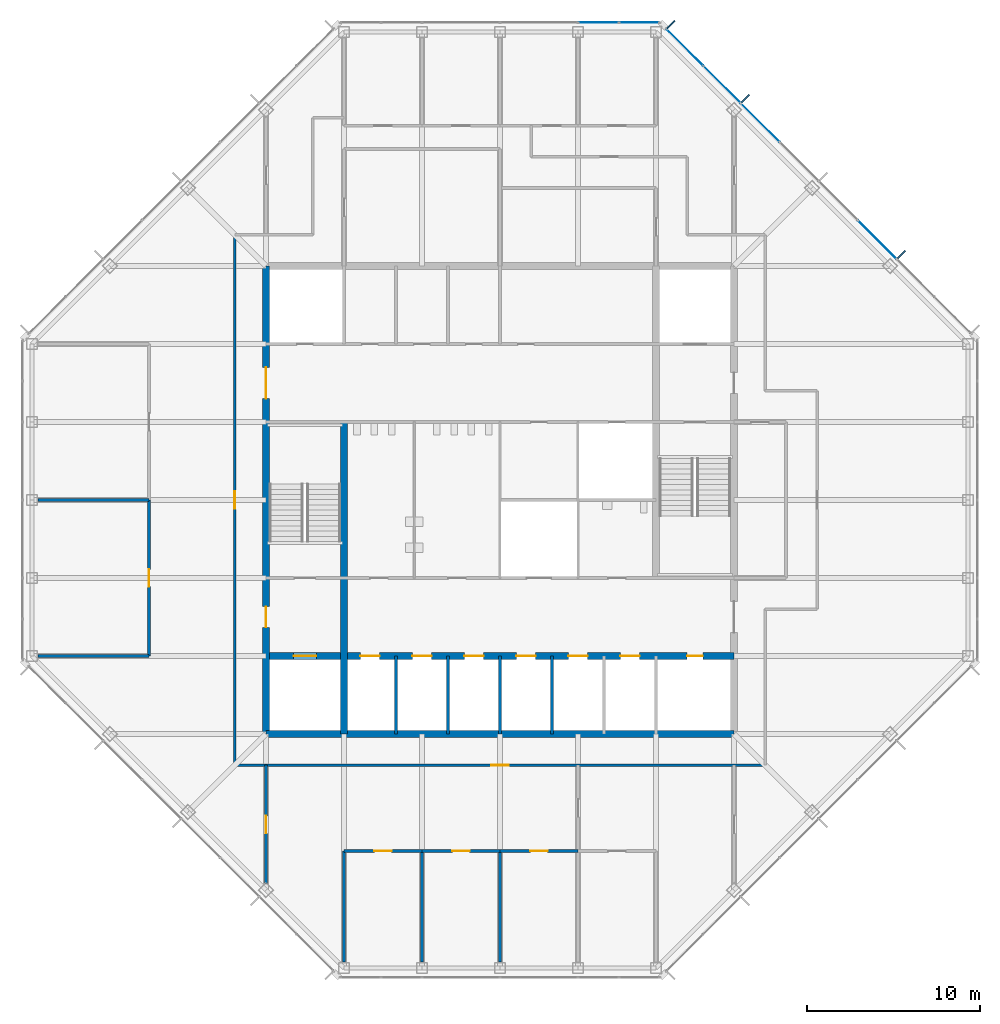
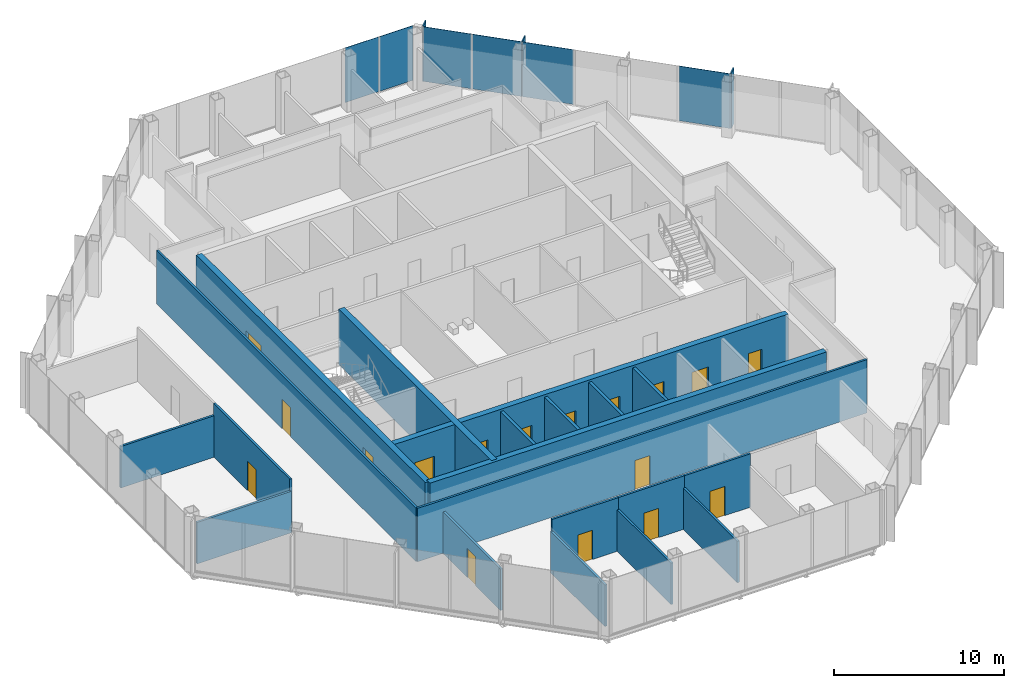
# One storey, part 9 of 14: 20 walls, 17 doors, 9 plates, 17 openings, 2 elements without a shape of their own.
"""IFC4 building model written with IfcOpenShell, lengths in metres."""

import ifcopenshell
import ifcopenshell.guid

model = None  # the IFC model being written
_history = None  # IfcOwnerHistory: only IFC2X3 demands one
_inside = {}  # id of a spatial element -> (the spatial element, [elements in it])
_under = {}  # id of a project, library or spatial element -> (it, [spatial elements below it])
_declared = {}  # id of a project -> (the project, [libraries it declares])
_typed = {}  # id of a type object -> (the type object, [elements of that type])
_made_of = {}  # id of a material, layer set ... -> (it, [elements and type objects made of it])


def new_model(schema):
    """Start an empty IFC model of exactly this schema.

    Asked for "IFC4X3", IfcOpenShell would pick the latest addendum, in which some entities
    have other attributes; the version numbers below select the first issue.
    IFC2X3 requires an IfcOwnerHistory on every rooted entity: one is made here for all.
    """
    global model, _history
    if schema == "IFC4X3":
        model = ifcopenshell.file(schema_version=(4, 3, 0, 0))
    else:
        model = ifcopenshell.file(schema=schema)
    _inside.clear()
    _under.clear()
    _declared.clear()
    _typed.clear()
    _made_of.clear()
    _history = None
    if model.schema == "IFC2X3":
        org = make("IfcOrganization", Name="unknown")
        user = make(
            "IfcPersonAndOrganization",
            ThePerson=make("IfcPerson", FamilyName="unknown"),
            TheOrganization=org,
        )
        app = make(
            "IfcApplication",
            ApplicationDeveloper=org,
            Version="unknown",
            ApplicationFullName="unknown",
            ApplicationIdentifier="unknown",
        )
        _history = make(
            "IfcOwnerHistory",
            OwningUser=user,
            OwningApplication=app,
            ChangeAction="ADDED",
            CreationDate=0,
        )
    return model


def make(cls, **values):
    """One entity of the class cls with the attributes given. An attribute that is None is left unset."""
    return model.create_entity(
        cls, **{name: value for name, value in values.items() if value is not None}
    )


def rooted(cls, **values):
    """An entity with a GlobalId (a new one), such as an element, a storey or a relation."""
    return make(cls, GlobalId=ifcopenshell.guid.new(), OwnerHistory=_history, **values)


def si_unit(unit_type, name, prefix=None):
    """IfcSIUnit, for example si_unit("LENGTHUNIT", "METRE", prefix="MILLI")."""
    return make("IfcSIUnit", UnitType=unit_type, Prefix=prefix, Name=name)


def assignment(units):
    """IfcUnitAssignment: the units of a project."""
    return None if units is None else make("IfcUnitAssignment", Units=units)


def point(xyz):
    """IfcCartesianPoint."""
    return None if xyz is None else make("IfcCartesianPoint", Coordinates=xyz)


def direction(xyz):
    """IfcDirection."""
    return None if xyz is None else make("IfcDirection", DirectionRatios=xyz)


def frame(location, z_axis=None, x_axis=None):
    """IfcAxis2Placement3D, a coordinate frame: its origin and axes. An axis left out is left unset."""
    return make(
        "IfcAxis2Placement3D",
        Location=point(location),
        Axis=direction(z_axis),
        RefDirection=direction(x_axis),
    )


def frame_2d(location, x_axis=None):
    """IfcAxis2Placement2D, a coordinate frame in the plane: its origin and x axis."""
    return make(
        "IfcAxis2Placement2D", Location=point(location), RefDirection=direction(x_axis)
    )


def origin():
    """The frame at (0, 0, 0) with its axes left unset."""
    return frame((0.0, 0.0, 0.0))


def origin_2d():
    """The frame at (0, 0) in the plane with its x axis left unset."""
    return frame_2d((0.0, 0.0))


def place(relative_to, where):
    """IfcLocalPlacement: puts the frame where relative to a parent placement (None: the world)."""
    return make(
        "IfcLocalPlacement", PlacementRelTo=relative_to, RelativePlacement=where
    )


def context(
    kind, dimensions, precision=None, world=None, true_north=None, identifier=None
):
    """IfcGeometricRepresentationContext, for example the 3D "Model" context."""
    return make(
        "IfcGeometricRepresentationContext",
        ContextIdentifier=identifier,
        ContextType=kind,
        CoordinateSpaceDimension=dimensions,
        Precision=precision,
        WorldCoordinateSystem=world,
        TrueNorth=true_north,
    )


def subcontext(parent, identifier, kind, view, scale=None):
    """IfcGeometricRepresentationSubContext, for example "Body" below "Model"."""
    return make(
        "IfcGeometricRepresentationSubContext",
        ContextIdentifier=identifier,
        ContextType=kind,
        ParentContext=parent,
        TargetScale=scale,
        TargetView=view,
    )


def project(units=None, contexts=None):
    """IfcProject with its units and contexts."""
    return rooted(
        "IfcProject",
        Name="project",
        RepresentationContexts=contexts,
        UnitsInContext=assignment(units),
    )


def spatial(cls, under=None, at=None, **own):
    """A site, building, storey or space (cls), placed at a placement, below another one or the project."""
    s = rooted(cls, ObjectPlacement=at, **own)
    if under is not None:
        _under.setdefault(under.id(), (under, []))[1].append(s)
    return s


def profile(cls, at=None, kind="AREA", **sizes):
    """A parametric profile (cls). Its sizes go by their IFC names, for example OverallWidth=200.0."""
    return make(cls, ProfileType=kind, Position=at, **sizes)


def rectangle(**sizes):
    """IfcRectangleProfileDef."""
    return profile("IfcRectangleProfileDef", **sizes)


def extrude(swept, where, along, depth):
    """IfcExtrudedAreaSolid: the profile swept, set in the frame where, extruded along a direction by depth."""
    return make(
        "IfcExtrudedAreaSolid",
        SweptArea=swept,
        Position=where,
        ExtrudedDirection=direction(along),
        Depth=depth,
    )


def shape(context_of_items, identifier, shape_type, items):
    """IfcShapeRepresentation: the items that make up one representation, for example the "Body"."""
    return make(
        "IfcShapeRepresentation",
        ContextOfItems=context_of_items,
        RepresentationIdentifier=identifier,
        RepresentationType=shape_type,
        Items=items,
    )


def material(Name=None, Category=None):
    """IfcMaterial."""
    return make("IfcMaterial", Name=Name, Category=Category)


def layer(
    of_material, thickness, ventilated=None, Name=None, Category=None, Priority=None
):
    """IfcMaterialLayer: one layer of a wall or slab, of a material (None: an air gap)."""
    return make(
        "IfcMaterialLayer",
        Material=of_material,
        LayerThickness=thickness,
        IsVentilated=ventilated,
        Name=Name,
        Category=Category,
        Priority=Priority,
    )


def layer_set(layers, Name=None):
    """IfcMaterialLayerSet."""
    return make("IfcMaterialLayerSet", MaterialLayers=layers, LayerSetName=Name)


def made_of(thing, what):
    """Note that an element or type object is made of a material, layer set ...; save() writes the relation."""
    if what is not None:
        _made_of.setdefault(what.id(), (what, []))[1].append(thing)
    return thing


def type_object(cls, material=None, **own):
    """A type object (cls), such as IfcWallType, which elements share."""
    return made_of(rooted(cls, **own), material)


def element(
    cls,
    number,
    at=None,
    inside=None,
    cuts=None,
    type_object=None,
    material=None,
    context=None,
    identifier="Body",
    shape_type=None,
    held_by="IfcProductDefinitionShape",
    body=None,
    shapes=None,
    **own,
):
    """One element of the class cls, such as IfcWall. Its Tag is "e" and its number.

    at: its placement. inside: the storey or other place that contains it. cuts: it is an
    opening in that element (IfcRelVoidsElement). A single representation is given by context,
    identifier, shape_type and body (its items); several are given by shapes. held_by: the class
    of the entity that holds the representations. save() writes the other relations.
    """
    e = rooted(cls, Tag="e%d" % number, ObjectPlacement=at, **own)
    if body is not None:
        shapes = [shape(context, identifier, shape_type, body)]
    if shapes is not None:
        e.Representation = make(held_by, Representations=shapes)
    if inside is not None:
        _inside.setdefault(inside.id(), (inside, []))[1].append(e)
    if cuts is not None:
        rooted(
            "IfcRelVoidsElement", RelatingBuildingElement=cuts, RelatedOpeningElement=e
        )
    if type_object is not None:
        _typed.setdefault(type_object.id(), (type_object, []))[1].append(e)
    return made_of(e, material)


def fill(opening, filler):
    """IfcRelFillsElement: the door or window that sits in an opening."""
    return rooted(
        "IfcRelFillsElement",
        RelatingOpeningElement=opening,
        RelatedBuildingElement=filler,
    )


def aggregate(whole, parts):
    """IfcRelAggregates: a whole, such as a stair, and the parts it consists of."""
    return rooted("IfcRelAggregates", RelatingObject=whole, RelatedObjects=parts)


def save(model, path):
    """Write the relations noted so far, then the file.

    IfcRelAggregates (storeys below a building ...), IfcRelContainedInSpatialStructure (elements
    in a storey), IfcRelDefinesByType, IfcRelAssociatesMaterial and IfcRelDeclares: one each for
    every whole, place, type object, material and project.
    """
    for whole, parts in _under.values():
        aggregate(whole, parts)
    for where, things in _inside.values():
        rooted(
            "IfcRelContainedInSpatialStructure",
            RelatedElements=things,
            RelatingStructure=where,
        )
    for kind, things in _typed.values():
        rooted("IfcRelDefinesByType", RelatedObjects=things, RelatingType=kind)
    for what, things in _made_of.values():
        rooted("IfcRelAssociatesMaterial", RelatedObjects=things, RelatingMaterial=what)
    for by, libraries in _declared.values():
        rooted("IfcRelDeclares", RelatingContext=by, RelatedDefinitions=libraries)
    model.write(path)


model = new_model("IFC4")

# Units and contexts
model_context = context("Model", 3, precision=1e-05, world=origin(), true_north=direction((0.0, 1.0)))
body_context = subcontext(model_context, "Body", "Model", "MODEL_VIEW")
ifc_project = project(units=[si_unit("LENGTHUNIT", "METRE"), si_unit("AREAUNIT", "SQUARE_METRE"), si_unit("VOLUMEUNIT", "CUBIC_METRE"), si_unit("PLANEANGLEUNIT", "RADIAN"), si_unit("MASSUNIT", "GRAM", prefix="KILO")], contexts=[model_context])

# Site, building, storey
site_placement = place(None, origin())
site = spatial("IfcSite", under=ifc_project, at=site_placement, CompositionType="ELEMENT")
building_placement = place(site_placement, origin())
building = spatial("IfcBuilding", under=site, at=building_placement, Name="Corais Broadcast Tower", CompositionType="ELEMENT")
storey_placement = place(building_placement, frame((0.0, 0.0, 258.60009765625)))
storey = spatial("IfcBuildingStorey", under=building, at=storey_placement, Name="L60", CompositionType="ELEMENT", Elevation=258.60009765625)

# Curtain wall, plate
ifc_material_1 = material(Name="Aluminium and glass", Category="aluminium")
curtain_wall_type = type_object("IfcCurtainWallType", Name="Unitised fritted curtain wall CW3", PredefinedType="NOTDEFINED", material=ifc_material_1)
curtain_wall_1_placement = place(storey_placement, origin())
curtain_wall_1 = element("IfcCurtainWall", 1, at=curtain_wall_1_placement, inside=storey, type_object=curtain_wall_type, Name="CW3 curtain wall L60 4", PredefinedType="NOTDEFINED")
ifc_material_2 = material(Name="Ceramic-fritted laminated glass", Category="glass")
ifc_layer_1 = layer(ifc_material_2, 0.02587890625)
ifc_layer_set_1 = layer_set([ifc_layer_1], Name="Ceramic-fritted laminated glass")
plate_type_1 = type_object("IfcPlateType", Name="Fritted glass panel CW3", PredefinedType="CURTAIN_PANEL", material=ifc_layer_set_1)
plate_1_placement = place(storey_placement, frame((32.681884765625, 54.550048828125, 0.06494140625), z_axis=(0.0, 0.0, 1.0), x_axis=(1.0, 0.0, 0.0)))
plate_1 = element("IfcPlate", 2, at=plate_1_placement, type_object=plate_type_1, Name="CW3 panel 5", PredefinedType="CURTAIN_PANEL", context=body_context, shape_type="SweptSolid", body=[
    extrude(rectangle(XDim=2.298828125, YDim=0.02587890625, at=origin_2d()), origin(), (0.0, 0.0, 1.0), 3.93505859375),
])

# Curtain wall, plates
curtain_wall_2_placement = place(storey_placement, origin())
curtain_wall_2 = element("IfcCurtainWall", 3, at=curtain_wall_2_placement, inside=storey, type_object=curtain_wall_type, Name="CW3 curtain wall L60 5", PredefinedType="NOTDEFINED")
plate_2_placement = place(storey_placement, frame((37.669677734375, 53.108154296875, 0.06494140625), z_axis=(0.0, 0.0, 1.0), x_axis=(0.707106781187, -0.707106781187, 0.0)))
plate_2 = element("IfcPlate", 4, at=plate_2_placement, type_object=plate_type_1, Name="CW3 panel 1", PredefinedType="CURTAIN_PANEL", context=body_context, shape_type="SweptSolid", body=[
    extrude(rectangle(XDim=2.9482421875, YDim=0.02587890625, at=origin_2d()), origin(), (0.0, 0.0, 1.0), 3.93505859375),
])
plate_3_placement = place(storey_placement, frame((42.013916015625, 48.763916015625, 0.06494140625), z_axis=(0.0, 0.0, 1.0), x_axis=(0.707106781187, -0.707106781187, 0.0)))
plate_3 = element("IfcPlate", 5, at=plate_3_placement, type_object=plate_type_1, Name="CW3 panel 3", PredefinedType="CURTAIN_PANEL", context=body_context, shape_type="SweptSolid", body=[
    extrude(rectangle(XDim=3.116943359375, YDim=0.02587890625, at=origin_2d()), origin(), (0.0, 0.0, 1.0), 3.93505859375),
])

# Plate
ifc_material_3 = material(Name="Clear laminated glass", Category="glass")
ifc_layer_2 = layer(ifc_material_3, 0.030029296875)
ifc_layer_set_2 = layer_set([ifc_layer_2], Name="Clear laminated glass")
plate_type_2 = type_object("IfcPlateType", Name="Operable glass panel CW3", PredefinedType="CURTAIN_PANEL", material=ifc_layer_set_2)
plate_4_placement = place(storey_placement, frame((35.029541015625, 54.550048828125, 0.06494140625), z_axis=(0.0, 0.0, 1.0), x_axis=(1.0, 0.0, 0.0)))
plate_4 = element("IfcPlate", 6, at=plate_4_placement, type_object=plate_type_2, Name="CW3 operable panel 6", PredefinedType="CURTAIN_PANEL", context=body_context, shape_type="SweptSolid", body=[
    extrude(rectangle(XDim=2.266357421875, YDim=0.030029296875, at=origin_2d()), origin(), (0.0, 0.0, 1.0), 3.93505859375),
])

aggregate(curtain_wall_1, [plate_1, plate_4])

plate_5_placement = place(storey_placement, frame((39.81201171875, 50.9658203125, 0.06494140625), z_axis=(0.0, 0.0, 1.0), x_axis=(0.707106781187, -0.707106781187, 0.0)))
plate_5 = element("IfcPlate", 7, at=plate_5_placement, type_object=plate_type_2, Name="CW3 operable panel 2", PredefinedType="CURTAIN_PANEL", context=body_context, shape_type="SweptSolid", body=[
    extrude(rectangle(XDim=2.98095703125, YDim=0.030029296875, at=origin_2d()), origin(), (0.0, 0.0, 1.0), 3.93505859375),
])

plate_6_placement = place(storey_placement, frame((48.763916015625, 42.013916015625, 0.06494140625), z_axis=(0.0, 0.0, 1.0), x_axis=(0.707106781187, -0.707106781187, 0.0)))
plate_6 = element("IfcPlate", 8, at=plate_6_placement, type_object=plate_type_2, Name="CW3 operable panel 6", PredefinedType="CURTAIN_PANEL", context=body_context, shape_type="SweptSolid", body=[
    extrude(rectangle(XDim=3.116943359375, YDim=0.030029296875, at=origin_2d()), origin(), (0.0, 0.0, 1.0), 3.93505859375),
])

aggregate(curtain_wall_2, [plate_2, plate_5, plate_3, plate_6])

# Plates
ifc_material_4 = material(Name="Granite stone cladding", Category="masonry")
ifc_layer_3 = layer(ifc_material_4, 0.080078125)
ifc_layer_set_3 = layer_set([ifc_layer_3], Name="Granite stone cladding")
plate_type_3 = type_object("IfcPlateType", Name="Stone screen fin 80x600", PredefinedType="USERDEFINED", material=ifc_layer_set_3)
for number, where, z_axis, x_axis, name in (
    (9, (36.870849609375, 54.43994140625, 0.0), (0.0, 0.0, 1.0), (0.707106781187, -0.707106781187, 0.0), "SF1 stone screen fin L60"),
    (10, (41.155517578125, 50.155517578125, 0.0), (0.0, 0.0, 1.0), (0.707106781187, -0.707106781187, 0.0), "SF1 stone screen fin L60"),
    (11, (50.155517578125, 41.155517578125, 0.0), (0.0, 0.0, 1.0), (0.707106781187, -0.707106781187, 0.0), "SF1 stone screen fin L60"),
):
    element("IfcPlate", number, at=place(storey_placement, frame(where, z_axis=z_axis, x_axis=x_axis)), inside=storey, type_object=plate_type_3, Name=name, ObjectType="STONE SCREEN FIN", PredefinedType="USERDEFINED", context=body_context, shape_type="SweptSolid", body=[
        extrude(rectangle(XDim=0.080078125, YDim=0.60009765625, at=origin_2d()), origin(), (0.0, 0.0, 1.0), 4.0),
    ])

# Wall
ifc_material_5 = material(Name="Concrete C50/60", Category="concrete")
ifc_layer_4 = layer(ifc_material_5, 0.39990234375)
ifc_layer_set_4 = layer_set([ifc_layer_4], Name="Concrete C50/60")
wall_type_1 = type_object("IfcWallType", Name="Core wall 400", PredefinedType="SHEAR", material=ifc_layer_set_4)
wall_1_placement = place(storey_placement, frame((13.5, 13.5, 0.0), z_axis=(0.0, 0.0, 1.0), x_axis=(1.0, 0.0, 0.0)))
element("IfcWall", 12, at=wall_1_placement, inside=storey, type_object=wall_type_1, Name="CR400 core wall S L60", PredefinedType="SHEAR", context=body_context, shape_type="SweptSolid", body=[
    extrude(rectangle(XDim=27.0, YDim=0.39990234375, at=frame_2d((13.5, 0.0))), origin(), (0.0, 0.0, 1.0), 4.0),
])

# Wall, openings, doors
wall_2_placement = place(storey_placement, frame((13.5, 40.5, 0.0), z_axis=(0.0, 0.0, 1.0), x_axis=(0.0, -1.0, 0.0)))
wall_2 = element("IfcWall", 13, at=wall_2_placement, inside=storey, type_object=wall_type_1, Name="CR400 core wall W L60", PredefinedType="SHEAR", context=body_context, shape_type="SweptSolid", body=[
    extrude(rectangle(XDim=27.0, YDim=0.39990234375, at=frame_2d((13.5, 0.0))), origin(), (0.0, 0.0, 1.0), 4.0),
])
opening_1_placement = place(wall_2_placement, frame((19.64990234375, 0.0, 0.0)))
opening_1 = element("IfcOpeningElement", 14, at=opening_1_placement, cuts=wall_2, Name="Opening FD1", PredefinedType="OPENING", context=body_context, shape_type="SweptSolid", body=[
    extrude(rectangle(XDim=1.199951171875, YDim=2.10009765625, at=frame_2d((0.60009765625, 1.050048828125))), frame((0.0, 0.2099609375, 0.0), z_axis=(0.0, -1.0, 0.0), x_axis=(1.0, 0.0, 0.0)), (0.0, 0.0, 1.0), 0.419921875),
])
opening_2_placement = place(wall_2_placement, frame((5.85009765625, 0.0, 0.0)))
opening_2 = element("IfcOpeningElement", 15, at=opening_2_placement, cuts=wall_2, Name="Opening FD2", PredefinedType="OPENING", context=body_context, shape_type="SweptSolid", body=[
    extrude(rectangle(XDim=1.800048828125, YDim=2.10009765625, at=frame_2d((0.89990234375, 1.050048828125))), frame((0.0, 0.2099609375, 0.0), z_axis=(0.0, -1.0, 0.0), x_axis=(1.0, 0.0, 0.0)), (0.0, 0.0, 1.0), 0.419921875),
])
ifc_material_6 = material(Name="Steel fire door", Category="steel")
door_type_1 = type_object("IfcDoorType", Name="Fire door 1200x2100", OperationType="SINGLE_SWING_LEFT", PredefinedType="DOOR", material=ifc_material_6)
door_1_placement = place(opening_1_placement, origin())
door_1 = element("IfcDoor", 16, at=door_1_placement, inside=storey, type_object=door_type_1, Name="FD1 fire lobby A door L60", OperationType="SINGLE_SWING_RIGHT", OverallHeight=2.10009765625, OverallWidth=1.199951171875, PredefinedType="DOOR", context=body_context, shape_type="SweptSolid", body=[
    extrude(rectangle(XDim=1.199951171875, YDim=2.10009765625, at=frame_2d((0.60009765625, 1.050048828125))), frame((0.0, 0.02490234375, 0.0), z_axis=(0.0, -1.0, 0.0), x_axis=(1.0, 0.0, 0.0)), (0.0, 0.0, 1.0), 0.050048828125),
])
fill(opening_1, door_1)
ifc_material_7 = material(Name="Steel fire door", Category="steel")
door_type_2 = type_object("IfcDoorType", Name="Fire door pair 1800x2100", OperationType="DOUBLE_DOOR_SINGLE_SWING", PredefinedType="DOOR", material=ifc_material_7)
door_2_placement = place(opening_2_placement, origin())
door_2 = element("IfcDoor", 17, at=door_2_placement, inside=storey, type_object=door_type_2, Name="FD2 lift lobby door L60", OperationType="SINGLE_SWING_LEFT", OverallHeight=2.10009765625, OverallWidth=1.800048828125, PredefinedType="DOOR", context=body_context, shape_type="SweptSolid", body=[
    extrude(rectangle(XDim=1.800048828125, YDim=2.10009765625, at=frame_2d((0.89990234375, 1.050048828125))), frame((0.0, 0.02490234375, 0.0), z_axis=(0.0, -1.0, 0.0), x_axis=(1.0, 0.0, 0.0)), (0.0, 0.0, 1.0), 0.050048828125),
])
fill(opening_2, door_2)

# Wall
wall_3_placement = place(storey_placement, frame((18.0, 13.5, 0.0), z_axis=(0.0, 0.0, 1.0), x_axis=(0.0, 1.0, 0.0)))
element("IfcWall", 18, at=wall_3_placement, inside=storey, type_object=wall_type_1, Name="CR400 core wall X18A L60", PredefinedType="SHEAR", context=body_context, shape_type="SweptSolid", body=[
    extrude(rectangle(XDim=18.0, YDim=0.39990234375, at=frame_2d((9.0, 0.0))), origin(), (0.0, 0.0, 1.0), 4.0),
])

# Wall, openings, doors
wall_4_placement = place(storey_placement, frame((13.5, 18.0, 0.0), z_axis=(0.0, 0.0, 1.0), x_axis=(1.0, 0.0, 0.0)))
wall_4 = element("IfcWall", 19, at=wall_4_placement, inside=storey, type_object=wall_type_1, Name="CR400 core wall Y18 L60", PredefinedType="SHEAR", context=body_context, shape_type="SweptSolid", body=[
    extrude(rectangle(XDim=27.0, YDim=0.39990234375, at=frame_2d((13.5, 0.0))), origin(), (0.0, 0.0, 1.0), 4.0),
])
opening_3_placement = place(wall_4_placement, frame((24.300048828125, 0.0, 0.0)))
opening_3 = element("IfcOpeningElement", 20, at=opening_3_placement, cuts=wall_4, Name="Opening RD1", PredefinedType="OPENING", context=body_context, shape_type="SweptSolid", body=[
    extrude(rectangle(XDim=0.89990234375, YDim=2.10009765625, at=frame_2d((0.449951171875, 1.050048828125))), frame((0.0, 0.2099609375, 0.0), z_axis=(0.0, -1.0, 0.0), x_axis=(1.0, 0.0, 0.0)), (0.0, 0.0, 1.0), 0.419921875),
])
opening_4_placement = place(wall_4_placement, frame((5.449951171875, 0.0, 0.0)))
opening_4 = element("IfcOpeningElement", 21, at=opening_4_placement, cuts=wall_4, Name="Opening LD1", PredefinedType="OPENING", context=body_context, shape_type="SweptSolid", body=[
    extrude(rectangle(XDim=1.10009765625, YDim=2.10009765625, at=frame_2d((0.550048828125, 1.050048828125))), frame((0.0, 0.2099609375, 0.0), z_axis=(0.0, -1.0, 0.0), x_axis=(1.0, 0.0, 0.0)), (0.0, 0.0, 1.0), 0.419921875),
])
opening_5_placement = place(wall_4_placement, frame((8.449951171875, 0.0, 0.0)))
opening_5 = element("IfcOpeningElement", 22, at=opening_5_placement, cuts=wall_4, Name="Opening LD1", PredefinedType="OPENING", context=body_context, shape_type="SweptSolid", body=[
    extrude(rectangle(XDim=1.10009765625, YDim=2.10009765625, at=frame_2d((0.550048828125, 1.050048828125))), frame((0.0, 0.2099609375, 0.0), z_axis=(0.0, -1.0, 0.0), x_axis=(1.0, 0.0, 0.0)), (0.0, 0.0, 1.0), 0.419921875),
])
opening_6_placement = place(wall_4_placement, frame((11.449951171875, 0.0, 0.0)))
opening_6 = element("IfcOpeningElement", 23, at=opening_6_placement, cuts=wall_4, Name="Opening LD1", PredefinedType="OPENING", context=body_context, shape_type="SweptSolid", body=[
    extrude(rectangle(XDim=1.10009765625, YDim=2.10009765625, at=frame_2d((0.550048828125, 1.050048828125))), frame((0.0, 0.2099609375, 0.0), z_axis=(0.0, -1.0, 0.0), x_axis=(1.0, 0.0, 0.0)), (0.0, 0.0, 1.0), 0.419921875),
])
opening_7_placement = place(wall_4_placement, frame((14.449951171875, 0.0, 0.0)))
opening_7 = element("IfcOpeningElement", 24, at=opening_7_placement, cuts=wall_4, Name="Opening LD1", PredefinedType="OPENING", context=body_context, shape_type="SweptSolid", body=[
    extrude(rectangle(XDim=1.10009765625, YDim=2.10009765625, at=frame_2d((0.550048828125, 1.050048828125))), frame((0.0, 0.2099609375, 0.0), z_axis=(0.0, -1.0, 0.0), x_axis=(1.0, 0.0, 0.0)), (0.0, 0.0, 1.0), 0.419921875),
])
opening_8_placement = place(wall_4_placement, frame((17.449951171875, 0.0, 0.0)))
opening_8 = element("IfcOpeningElement", 25, at=opening_8_placement, cuts=wall_4, Name="Opening LD1", PredefinedType="OPENING", context=body_context, shape_type="SweptSolid", body=[
    extrude(rectangle(XDim=1.10009765625, YDim=2.10009765625, at=frame_2d((0.550048828125, 1.050048828125))), frame((0.0, 0.2099609375, 0.0), z_axis=(0.0, -1.0, 0.0), x_axis=(1.0, 0.0, 0.0)), (0.0, 0.0, 1.0), 0.419921875),
])
opening_9_placement = place(wall_4_placement, frame((20.449951171875, 0.0, 0.0)))
opening_9 = element("IfcOpeningElement", 26, at=opening_9_placement, cuts=wall_4, Name="Opening LD1", PredefinedType="OPENING", context=body_context, shape_type="SweptSolid", body=[
    extrude(rectangle(XDim=1.10009765625, YDim=2.10009765625, at=frame_2d((0.550048828125, 1.050048828125))), frame((0.0, 0.2099609375, 0.0), z_axis=(0.0, -1.0, 0.0), x_axis=(1.0, 0.0, 0.0)), (0.0, 0.0, 1.0), 0.419921875),
])
opening_10_placement = place(wall_4_placement, frame((1.60009765625, 0.0, 0.0)))
opening_10 = element("IfcOpeningElement", 27, at=opening_10_placement, cuts=wall_4, Name="Opening LD2", PredefinedType="OPENING", context=body_context, shape_type="SweptSolid", body=[
    extrude(rectangle(XDim=1.300048828125, YDim=2.199951171875, at=frame_2d((0.64990234375, 1.10009765625))), frame((0.0, 0.2099609375, 0.0), z_axis=(0.0, -1.0, 0.0), x_axis=(1.0, 0.0, 0.0)), (0.0, 0.0, 1.0), 0.419921875),
])
ifc_material_8 = material(Name="Stainless steel lift door", Category="steel")
door_type_3 = type_object("IfcDoorType", Name="Lift landing door 1100x2100", OperationType="SLIDING_TO_LEFT", PredefinedType="DOOR", material=ifc_material_8)
door_3_placement = place(opening_4_placement, origin())
door_3 = element("IfcDoor", 28, at=door_3_placement, inside=storey, type_object=door_type_3, Name="LD1 PH1 landing door L60", OperationType="SLIDING_TO_LEFT", OverallHeight=2.10009765625, OverallWidth=1.10009765625, PredefinedType="DOOR", context=body_context, shape_type="SweptSolid", body=[
    extrude(rectangle(XDim=1.10009765625, YDim=2.10009765625, at=frame_2d((0.550048828125, 1.050048828125))), frame((0.0, 0.02490234375, 0.0), z_axis=(0.0, -1.0, 0.0), x_axis=(1.0, 0.0, 0.0)), (0.0, 0.0, 1.0), 0.050048828125),
])
fill(opening_4, door_3)
door_4_placement = place(opening_5_placement, origin())
door_4 = element("IfcDoor", 29, at=door_4_placement, inside=storey, type_object=door_type_3, Name="LD1 PH2 landing door L60", OperationType="SLIDING_TO_LEFT", OverallHeight=2.10009765625, OverallWidth=1.10009765625, PredefinedType="DOOR", context=body_context, shape_type="SweptSolid", body=[
    extrude(rectangle(XDim=1.10009765625, YDim=2.10009765625, at=frame_2d((0.550048828125, 1.050048828125))), frame((0.0, 0.02490234375, 0.0), z_axis=(0.0, -1.0, 0.0), x_axis=(1.0, 0.0, 0.0)), (0.0, 0.0, 1.0), 0.050048828125),
])
fill(opening_5, door_4)
door_5_placement = place(opening_6_placement, origin())
door_5 = element("IfcDoor", 30, at=door_5_placement, inside=storey, type_object=door_type_3, Name="LD1 PH3 landing door L60", OperationType="SLIDING_TO_LEFT", OverallHeight=2.10009765625, OverallWidth=1.10009765625, PredefinedType="DOOR", context=body_context, shape_type="SweptSolid", body=[
    extrude(rectangle(XDim=1.10009765625, YDim=2.10009765625, at=frame_2d((0.550048828125, 1.050048828125))), frame((0.0, 0.02490234375, 0.0), z_axis=(0.0, -1.0, 0.0), x_axis=(1.0, 0.0, 0.0)), (0.0, 0.0, 1.0), 0.050048828125),
])
fill(opening_6, door_5)
door_6_placement = place(opening_7_placement, origin())
door_6 = element("IfcDoor", 31, at=door_6_placement, inside=storey, type_object=door_type_3, Name="LD1 PH4 landing door L60", OperationType="SLIDING_TO_LEFT", OverallHeight=2.10009765625, OverallWidth=1.10009765625, PredefinedType="DOOR", context=body_context, shape_type="SweptSolid", body=[
    extrude(rectangle(XDim=1.10009765625, YDim=2.10009765625, at=frame_2d((0.550048828125, 1.050048828125))), frame((0.0, 0.02490234375, 0.0), z_axis=(0.0, -1.0, 0.0), x_axis=(1.0, 0.0, 0.0)), (0.0, 0.0, 1.0), 0.050048828125),
])
fill(opening_7, door_6)
door_7_placement = place(opening_8_placement, origin())
door_7 = element("IfcDoor", 32, at=door_7_placement, inside=storey, type_object=door_type_3, Name="LD1 PH5 landing door L60", OperationType="SLIDING_TO_LEFT", OverallHeight=2.10009765625, OverallWidth=1.10009765625, PredefinedType="DOOR", context=body_context, shape_type="SweptSolid", body=[
    extrude(rectangle(XDim=1.10009765625, YDim=2.10009765625, at=frame_2d((0.550048828125, 1.050048828125))), frame((0.0, 0.02490234375, 0.0), z_axis=(0.0, -1.0, 0.0), x_axis=(1.0, 0.0, 0.0)), (0.0, 0.0, 1.0), 0.050048828125),
])
fill(opening_8, door_7)
door_8_placement = place(opening_9_placement, origin())
door_8 = element("IfcDoor", 33, at=door_8_placement, inside=storey, type_object=door_type_3, Name="LD1 PH6 landing door L60", OperationType="SLIDING_TO_LEFT", OverallHeight=2.10009765625, OverallWidth=1.10009765625, PredefinedType="DOOR", context=body_context, shape_type="SweptSolid", body=[
    extrude(rectangle(XDim=1.10009765625, YDim=2.10009765625, at=frame_2d((0.550048828125, 1.050048828125))), frame((0.0, 0.02490234375, 0.0), z_axis=(0.0, -1.0, 0.0), x_axis=(1.0, 0.0, 0.0)), (0.0, 0.0, 1.0), 0.050048828125),
])
fill(opening_9, door_8)
ifc_material_9 = material(Name="Stainless steel lift door", Category="steel")
door_type_4 = type_object("IfcDoorType", Name="Lift landing door 1300x2200", OperationType="SLIDING_TO_LEFT", PredefinedType="DOOR", material=ifc_material_9)
door_9_placement = place(opening_10_placement, origin())
door_9 = element("IfcDoor", 34, at=door_9_placement, inside=storey, type_object=door_type_4, Name="LD2 FL1 landing door L60", OperationType="SLIDING_TO_LEFT", OverallHeight=2.199951171875, OverallWidth=1.300048828125, PredefinedType="DOOR", context=body_context, shape_type="SweptSolid", body=[
    extrude(rectangle(XDim=1.300048828125, YDim=2.199951171875, at=frame_2d((0.64990234375, 1.10009765625))), frame((0.0, 0.02490234375, 0.0), z_axis=(0.0, -1.0, 0.0), x_axis=(1.0, 0.0, 0.0)), (0.0, 0.0, 1.0), 0.050048828125),
])
fill(opening_10, door_9)
ifc_material_10 = material(Name="Steel fire door", Category="steel")
door_type_5 = type_object("IfcDoorType", Name="Riser door 900x2100", OperationType="SINGLE_SWING_LEFT", PredefinedType="DOOR", material=ifc_material_10)
door_10_placement = place(opening_3_placement, origin())
door_10 = element("IfcDoor", 35, at=door_10_placement, inside=storey, type_object=door_type_5, Name="RD1 riser door L60", OperationType="SINGLE_SWING_RIGHT", OverallHeight=2.10009765625, OverallWidth=0.89990234375, PredefinedType="DOOR", context=body_context, shape_type="SweptSolid", body=[
    extrude(rectangle(XDim=0.89990234375, YDim=2.10009765625, at=frame_2d((0.449951171875, 1.050048828125))), frame((0.0, 0.02490234375, 0.0), z_axis=(0.0, -1.0, 0.0), x_axis=(1.0, 0.0, 0.0)), (0.0, 0.0, 1.0), 0.050048828125),
])
fill(opening_3, door_10)

# Wall, opening, door
ifc_material_11 = material(Name="Gypsum board on steel studs", Category="steel")
ifc_layer_5 = layer(ifc_material_11, 0.14990234375)
ifc_layer_set_5 = layer_set([ifc_layer_5], Name="Gypsum board on steel studs")
wall_type_2 = type_object("IfcWallType", Name="Partition 150", PredefinedType="PARTITIONING", material=ifc_layer_set_5)
wall_5_placement = place(storey_placement, frame((11.699951171875, 11.699951171875, 0.0), z_axis=(0.0, 0.0, 1.0), x_axis=(1.0, 0.0, 0.0)))
wall_5 = element("IfcWall", 36, at=wall_5_placement, inside=storey, type_object=wall_type_2, Name="IW3 corridor wall L60", PredefinedType="PARTITIONING", context=body_context, shape_type="SweptSolid", body=[
    extrude(rectangle(XDim=30.60009765625, YDim=0.14990234375, at=frame_2d((15.300048828125, 0.0))), origin(), (0.0, 0.0, 1.0), 3.83984375),
])
opening_11_placement = place(wall_5_placement, frame((14.800048828125, 0.0, 0.0)))
opening_11 = element("IfcOpeningElement", 37, at=opening_11_placement, cuts=wall_5, Name="Opening D1", PredefinedType="OPENING", context=body_context, shape_type="SweptSolid", body=[
    extrude(rectangle(XDim=1.0, YDim=2.10009765625, at=frame_2d((0.5, 1.050048828125))), frame((0.0, 0.0849609375, 0.0), z_axis=(0.0, -1.0, 0.0), x_axis=(1.0, 0.0, 0.0)), (0.0, 0.0, 1.0), 0.169921875),
])
ifc_material_12 = material(Name="Timber door", Category="wood")
door_type_6 = type_object("IfcDoorType", Name="Single door 1000x2100", OperationType="SINGLE_SWING_LEFT", PredefinedType="DOOR", material=ifc_material_12)
door_11_placement = place(opening_11_placement, origin())
door_11 = element("IfcDoor", 38, at=door_11_placement, inside=storey, type_object=door_type_6, Name="D1 workplace door L60", OperationType="SINGLE_SWING_LEFT", OverallHeight=2.10009765625, OverallWidth=1.0, PredefinedType="DOOR", context=body_context, shape_type="SweptSolid", body=[
    extrude(rectangle(XDim=1.0, YDim=2.10009765625, at=frame_2d((0.5, 1.050048828125))), frame((0.0, 0.02490234375, 0.0), z_axis=(0.0, -1.0, 0.0), x_axis=(1.0, 0.0, 0.0)), (0.0, 0.0, 1.0), 0.050048828125),
])
fill(opening_11, door_11)

wall_6_placement = place(storey_placement, frame((11.699951171875, 42.300048828125, 0.0), z_axis=(0.0, 0.0, 1.0), x_axis=(0.0, -1.0, 0.0)))
wall_6 = element("IfcWall", 39, at=wall_6_placement, inside=storey, type_object=wall_type_2, Name="IW3 corridor wall L60", PredefinedType="PARTITIONING", context=body_context, shape_type="SweptSolid", body=[
    extrude(rectangle(XDim=30.60009765625, YDim=0.14990234375, at=frame_2d((15.300048828125, 0.0))), origin(), (0.0, 0.0, 1.0), 3.83984375),
])
opening_12_placement = place(wall_6_placement, frame((14.800048828125, 0.0, 0.0)))
opening_12 = element("IfcOpeningElement", 40, at=opening_12_placement, cuts=wall_6, Name="Opening D1", PredefinedType="OPENING", context=body_context, shape_type="SweptSolid", body=[
    extrude(rectangle(XDim=1.0, YDim=2.10009765625, at=frame_2d((0.5, 1.050048828125))), frame((0.0, 0.0849609375, 0.0), z_axis=(0.0, -1.0, 0.0), x_axis=(1.0, 0.0, 0.0)), (0.0, 0.0, 1.0), 0.169921875),
])
door_12_placement = place(opening_12_placement, origin())
door_12 = element("IfcDoor", 41, at=door_12_placement, inside=storey, type_object=door_type_6, Name="D1 workplace door L60", OperationType="SINGLE_SWING_LEFT", OverallHeight=2.10009765625, OverallWidth=1.0, PredefinedType="DOOR", context=body_context, shape_type="SweptSolid", body=[
    extrude(rectangle(XDim=1.0, YDim=2.10009765625, at=frame_2d((0.5, 1.050048828125))), frame((0.0, 0.02490234375, 0.0), z_axis=(0.0, -1.0, 0.0), x_axis=(1.0, 0.0, 0.0)), (0.0, 0.0, 1.0), 0.050048828125),
])
fill(opening_12, door_12)

# Wall
wall_7_placement = place(storey_placement, frame((22.5, 0.3349609375, 0.0), z_axis=(0.0, 0.0, 1.0), x_axis=(0.0, 1.0, 0.0)))
element("IfcWall", 42, at=wall_7_placement, inside=storey, type_object=wall_type_2, Name="IW3 partition L60", PredefinedType="PARTITIONING", context=body_context, shape_type="SweptSolid", body=[
    extrude(rectangle(XDim=6.4150390625, YDim=0.14990234375, at=frame_2d((3.20751953125, 0.0))), origin(), (0.0, 0.0, 1.0), 2.989013671875),
])

# Wall, opening, door
wall_8_placement = place(storey_placement, frame((22.5, 6.75, 0.0), z_axis=(0.0, 0.0, 1.0), x_axis=(-1.0, 0.0, 0.0)))
wall_8 = element("IfcWall", 43, at=wall_8_placement, inside=storey, type_object=wall_type_2, Name="IW3 partition L60", PredefinedType="PARTITIONING", context=body_context, shape_type="SweptSolid", body=[
    extrude(rectangle(XDim=4.5, YDim=0.14990234375, at=frame_2d((2.25, 0.0))), origin(), (0.0, 0.0, 1.0), 3.83984375),
])
opening_13_placement = place(wall_8_placement, frame((1.75, 0.0, 0.0)))
opening_13 = element("IfcOpeningElement", 44, at=opening_13_placement, cuts=wall_8, Name="Opening D1", PredefinedType="OPENING", context=body_context, shape_type="SweptSolid", body=[
    extrude(rectangle(XDim=1.0, YDim=2.10009765625, at=frame_2d((0.5, 1.050048828125))), frame((0.0, 0.0849609375, 0.0), z_axis=(0.0, -1.0, 0.0), x_axis=(1.0, 0.0, 0.0)), (0.0, 0.0, 1.0), 0.169921875),
])
door_13_placement = place(opening_13_placement, origin())
door_13 = element("IfcDoor", 45, at=door_13_placement, inside=storey, type_object=door_type_6, Name="D1 Office door", OperationType="SINGLE_SWING_LEFT", OverallHeight=2.10009765625, OverallWidth=1.0, PredefinedType="DOOR", context=body_context, shape_type="SweptSolid", body=[
    extrude(rectangle(XDim=1.0, YDim=2.10009765625, at=frame_2d((0.5, 1.050048828125))), frame((0.0, 0.02490234375, 0.0), z_axis=(0.0, -1.0, 0.0), x_axis=(1.0, 0.0, 0.0)), (0.0, 0.0, 1.0), 0.050048828125),
])
fill(opening_13, door_13)

# Walls
for number, where, z_axis, x_axis, name in (
    (46, (18.0, 6.75, 0.0), (0.0, 0.0, 1.0), (0.0, -1.0, 0.0), "IW3 partition L60"),
    (47, (27.0, 0.3349609375, 0.0), (0.0, 0.0, 1.0), (0.0, 1.0, 0.0), "IW3 partition L60"),
):
    element("IfcWall", number, at=place(storey_placement, frame(where, z_axis=z_axis, x_axis=x_axis)), inside=storey, type_object=wall_type_2, Name=name, PredefinedType="PARTITIONING", context=body_context, shape_type="SweptSolid", body=[
        extrude(rectangle(XDim=6.4150390625, YDim=0.14990234375, at=frame_2d((3.20751953125, 0.0))), origin(), (0.0, 0.0, 1.0), 2.989013671875),
    ])

# Wall, opening, door
wall_9_placement = place(storey_placement, frame((27.0, 6.75, 0.0), z_axis=(0.0, 0.0, 1.0), x_axis=(-1.0, 0.0, 0.0)))
wall_9 = element("IfcWall", 48, at=wall_9_placement, inside=storey, type_object=wall_type_2, Name="IW3 partition L60", PredefinedType="PARTITIONING", context=body_context, shape_type="SweptSolid", body=[
    extrude(rectangle(XDim=4.5, YDim=0.14990234375, at=frame_2d((2.25, 0.0))), origin(), (0.0, 0.0, 1.0), 3.83984375),
])
opening_14_placement = place(wall_9_placement, frame((1.75, 0.0, 0.0)))
opening_14 = element("IfcOpeningElement", 49, at=opening_14_placement, cuts=wall_9, Name="Opening D1", PredefinedType="OPENING", context=body_context, shape_type="SweptSolid", body=[
    extrude(rectangle(XDim=1.0, YDim=2.10009765625, at=frame_2d((0.5, 1.050048828125))), frame((0.0, 0.0849609375, 0.0), z_axis=(0.0, -1.0, 0.0), x_axis=(1.0, 0.0, 0.0)), (0.0, 0.0, 1.0), 0.169921875),
])
door_14_placement = place(opening_14_placement, origin())
door_14 = element("IfcDoor", 50, at=door_14_placement, inside=storey, type_object=door_type_6, Name="D1 Office door", OperationType="SINGLE_SWING_LEFT", OverallHeight=2.10009765625, OverallWidth=1.0, PredefinedType="DOOR", context=body_context, shape_type="SweptSolid", body=[
    extrude(rectangle(XDim=1.0, YDim=2.10009765625, at=frame_2d((0.5, 1.050048828125))), frame((0.0, 0.02490234375, 0.0), z_axis=(0.0, -1.0, 0.0), x_axis=(1.0, 0.0, 0.0)), (0.0, 0.0, 1.0), 0.050048828125),
])
fill(opening_14, door_14)

wall_10_placement = place(storey_placement, frame((31.5, 6.75, 0.0), z_axis=(0.0, 0.0, 1.0), x_axis=(-1.0, 0.0, 0.0)))
wall_10 = element("IfcWall", 51, at=wall_10_placement, inside=storey, type_object=wall_type_2, Name="IW3 partition L60", PredefinedType="PARTITIONING", context=body_context, shape_type="SweptSolid", body=[
    extrude(rectangle(XDim=4.5, YDim=0.14990234375, at=frame_2d((2.25, 0.0))), origin(), (0.0, 0.0, 1.0), 3.83984375),
])
opening_15_placement = place(wall_10_placement, frame((1.75, 0.0, 0.0)))
opening_15 = element("IfcOpeningElement", 52, at=opening_15_placement, cuts=wall_10, Name="Opening D1", PredefinedType="OPENING", context=body_context, shape_type="SweptSolid", body=[
    extrude(rectangle(XDim=1.0, YDim=2.10009765625, at=frame_2d((0.5, 1.050048828125))), frame((0.0, 0.0849609375, 0.0), z_axis=(0.0, -1.0, 0.0), x_axis=(1.0, 0.0, 0.0)), (0.0, 0.0, 1.0), 0.169921875),
])
door_15_placement = place(opening_15_placement, origin())
door_15 = element("IfcDoor", 53, at=door_15_placement, inside=storey, type_object=door_type_6, Name="D1 Office door", OperationType="SINGLE_SWING_LEFT", OverallHeight=2.10009765625, OverallWidth=1.0, PredefinedType="DOOR", context=body_context, shape_type="SweptSolid", body=[
    extrude(rectangle(XDim=1.0, YDim=2.10009765625, at=frame_2d((0.5, 1.050048828125))), frame((0.0, 0.02490234375, 0.0), z_axis=(0.0, -1.0, 0.0), x_axis=(1.0, 0.0, 0.0)), (0.0, 0.0, 1.0), 0.050048828125),
])
fill(opening_15, door_15)

# Wall
wall_11_placement = place(storey_placement, frame((0.3349609375, 18.0, 0.0), z_axis=(0.0, 0.0, 1.0), x_axis=(1.0, 0.0, 0.0)))
element("IfcWall", 54, at=wall_11_placement, inside=storey, type_object=wall_type_2, Name="IW3 partition L60", PredefinedType="PARTITIONING", context=body_context, shape_type="SweptSolid", body=[
    extrude(rectangle(XDim=6.4150390625, YDim=0.14990234375, at=frame_2d((3.20751953125, 0.0))), origin(), (0.0, 0.0, 1.0), 2.989013671875),
])

# Wall, opening, door
wall_12_placement = place(storey_placement, frame((6.75, 18.0, 0.0), z_axis=(0.0, 0.0, 1.0), x_axis=(0.0, 1.0, 0.0)))
wall_12 = element("IfcWall", 55, at=wall_12_placement, inside=storey, type_object=wall_type_2, Name="IW3 partition L60", PredefinedType="PARTITIONING", context=body_context, shape_type="SweptSolid", body=[
    extrude(rectangle(XDim=9.0, YDim=0.14990234375, at=frame_2d((4.5, 0.0))), origin(), (0.0, 0.0, 1.0), 3.83984375),
])
opening_16_placement = place(wall_12_placement, frame((4.0, 0.0, 0.0)))
opening_16 = element("IfcOpeningElement", 56, at=opening_16_placement, cuts=wall_12, Name="Opening D1", PredefinedType="OPENING", context=body_context, shape_type="SweptSolid", body=[
    extrude(rectangle(XDim=1.0, YDim=2.10009765625, at=frame_2d((0.5, 1.050048828125))), frame((0.0, 0.0849609375, 0.0), z_axis=(0.0, -1.0, 0.0), x_axis=(1.0, 0.0, 0.0)), (0.0, 0.0, 1.0), 0.169921875),
])
door_16_placement = place(opening_16_placement, origin())
door_16 = element("IfcDoor", 57, at=door_16_placement, inside=storey, type_object=door_type_6, Name="D1 Engineering workshop door", OperationType="SINGLE_SWING_LEFT", OverallHeight=2.10009765625, OverallWidth=1.0, PredefinedType="DOOR", context=body_context, shape_type="SweptSolid", body=[
    extrude(rectangle(XDim=1.0, YDim=2.10009765625, at=frame_2d((0.5, 1.050048828125))), frame((0.0, 0.02490234375, 0.0), z_axis=(0.0, -1.0, 0.0), x_axis=(1.0, 0.0, 0.0)), (0.0, 0.0, 1.0), 0.050048828125),
])
fill(opening_16, door_16)

# Wall
wall_13_placement = place(storey_placement, frame((6.75, 27.0, 0.0), z_axis=(0.0, 0.0, 1.0), x_axis=(-1.0, 0.0, 0.0)))
element("IfcWall", 58, at=wall_13_placement, inside=storey, type_object=wall_type_2, Name="IW3 partition L60", PredefinedType="PARTITIONING", context=body_context, shape_type="SweptSolid", body=[
    extrude(rectangle(XDim=6.4150390625, YDim=0.14990234375, at=frame_2d((3.20751953125, 0.0))), origin(), (0.0, 0.0, 1.0), 2.989013671875),
])

# Wall, opening, door
wall_14_placement = place(storey_placement, frame((13.5, 4.844970703125, 0.0), z_axis=(0.0, 0.0, 1.0), x_axis=(0.0, 1.0, 0.0)))
wall_14 = element("IfcWall", 59, at=wall_14_placement, inside=storey, type_object=wall_type_2, Name="IW3 partition L60", PredefinedType="PARTITIONING", context=body_context, shape_type="SweptSolid", body=[
    extrude(rectangle(XDim=6.85498046875, YDim=0.14990234375, at=frame_2d((3.427490234375, 0.0))), origin(), (0.0, 0.0, 1.0), 2.989013671875),
])
opening_17_placement = place(wall_14_placement, frame((2.927490234375, 0.0, 0.0)))
opening_17 = element("IfcOpeningElement", 60, at=opening_17_placement, cuts=wall_14, Name="Opening D1", PredefinedType="OPENING", context=body_context, shape_type="SweptSolid", body=[
    extrude(rectangle(XDim=1.0, YDim=2.10009765625, at=frame_2d((0.5, 1.050048828125))), frame((0.0, 0.0849609375, 0.0), z_axis=(0.0, -1.0, 0.0), x_axis=(1.0, 0.0, 0.0)), (0.0, 0.0, 1.0), 0.169921875),
])
door_17_placement = place(opening_17_placement, origin())
door_17 = element("IfcDoor", 61, at=door_17_placement, inside=storey, type_object=door_type_6, Name="D1 team room door L60", OperationType="SINGLE_SWING_LEFT", OverallHeight=2.10009765625, OverallWidth=1.0, PredefinedType="DOOR", context=body_context, shape_type="SweptSolid", body=[
    extrude(rectangle(XDim=1.0, YDim=2.10009765625, at=frame_2d((0.5, 1.050048828125))), frame((0.0, 0.02490234375, 0.0), z_axis=(0.0, -1.0, 0.0), x_axis=(1.0, 0.0, 0.0)), (0.0, 0.0, 1.0), 0.050048828125),
])
fill(opening_17, door_17)

# Walls
ifc_material_13 = material(Name="Concrete blockwork class A, grouted, two-hour", Category="masonry")
ifc_layer_6 = layer(ifc_material_13, 0.199951171875)
ifc_layer_set_6 = layer_set([ifc_layer_6], Name="Concrete blockwork class A, grouted, two-hour")
wall_type_3 = type_object("IfcWallType", Name="Shaft wall 200", PredefinedType="PARTITIONING", material=ifc_layer_set_6)
for number, where, z_axis, x_axis, name in (
    (62, (21.0, 13.5, 0.0), (0.0, 0.0, 1.0), (0.0, 1.0, 0.0), "IW1 shaft wall L60"),
    (63, (24.0, 13.5, 0.0), (0.0, 0.0, 1.0), (0.0, 1.0, 0.0), "IW1 shaft wall L60"),
    (64, (27.0, 13.5, 0.0), (0.0, 0.0, 1.0), (0.0, 1.0, 0.0), "IW1 shaft wall L60"),
    (65, (30.0, 13.5, 0.0), (0.0, 0.0, 1.0), (0.0, 1.0, 0.0), "IW1 shaft wall L60"),
):
    element("IfcWall", number, at=place(storey_placement, frame(where, z_axis=z_axis, x_axis=x_axis)), inside=storey, type_object=wall_type_3, Name=name, PredefinedType="PARTITIONING", context=body_context, shape_type="SweptSolid", body=[
        extrude(rectangle(XDim=4.5, YDim=0.199951171875, at=frame_2d((2.25, 0.0))), origin(), (0.0, 0.0, 1.0), 3.83984375),
    ])

save(model, "model.ifc")
